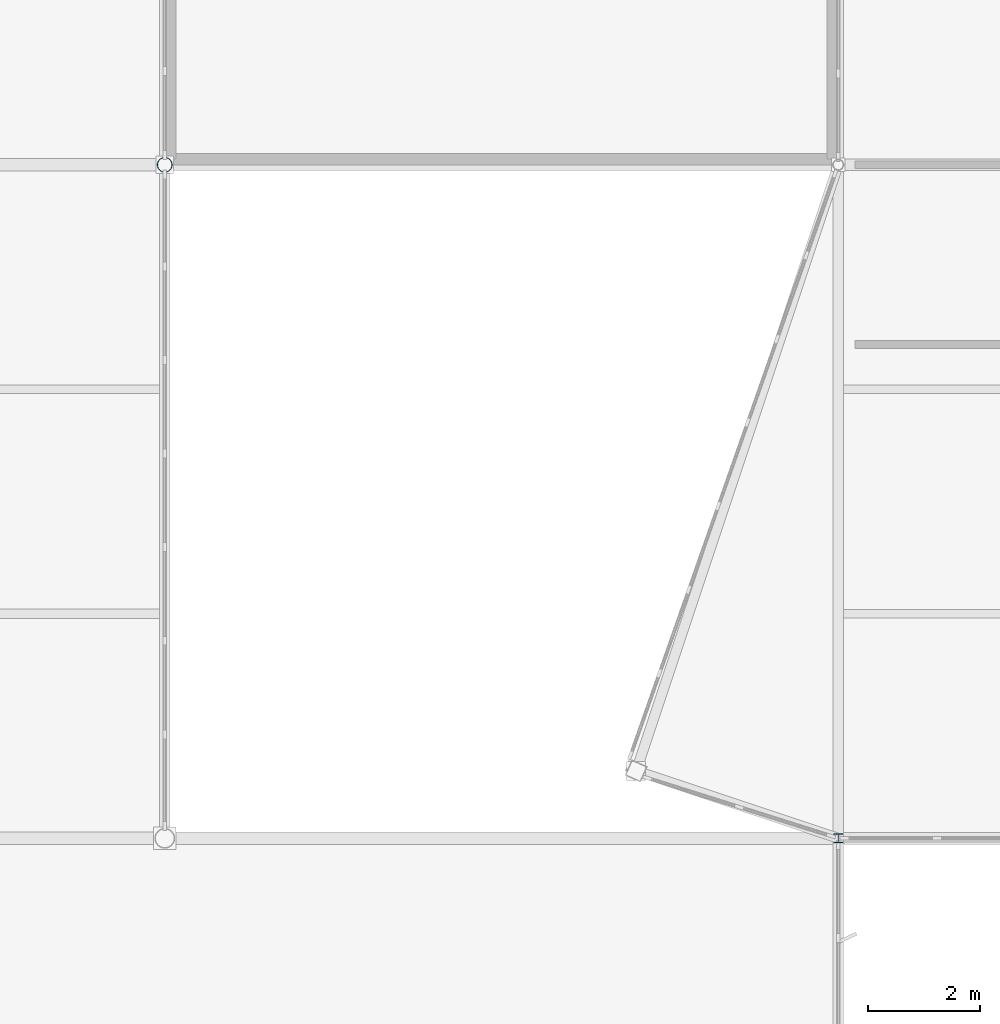
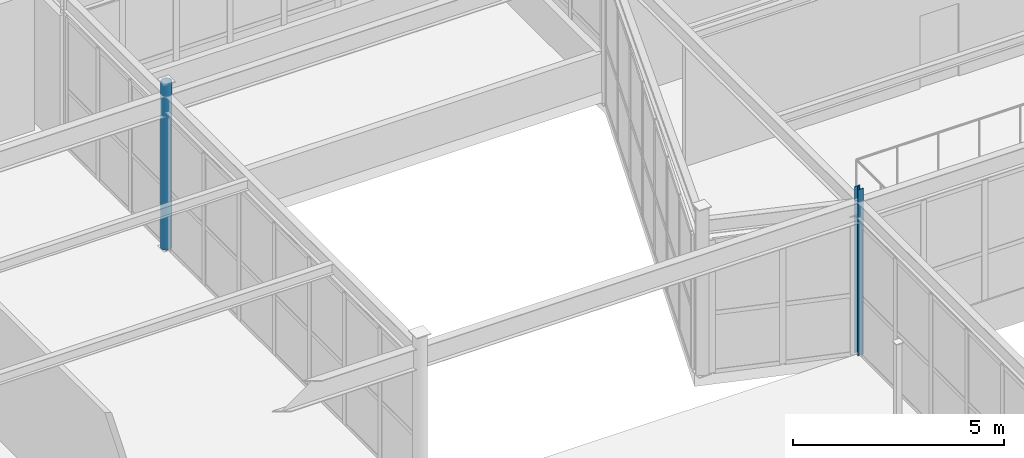
# One storey, part 51 of 226: 2 columns.
"""IFC4 building model written with IfcOpenShell, lengths in metres."""

import ifcopenshell
import ifcopenshell.guid

model = None  # the IFC model being written
_history = None  # IfcOwnerHistory: only IFC2X3 demands one
_inside = {}  # id of a spatial element -> (the spatial element, [elements in it])
_under = {}  # id of a project, library or spatial element -> (it, [spatial elements below it])
_declared = {}  # id of a project -> (the project, [libraries it declares])
_typed = {}  # id of a type object -> (the type object, [elements of that type])
_made_of = {}  # id of a material, layer set ... -> (it, [elements and type objects made of it])


def new_model(schema):
    """Start an empty IFC model of exactly this schema.

    Asked for "IFC4X3", IfcOpenShell would pick the latest addendum, in which some entities
    have other attributes; the version numbers below select the first issue.
    IFC2X3 requires an IfcOwnerHistory on every rooted entity: one is made here for all.
    """
    global model, _history
    if schema == "IFC4X3":
        model = ifcopenshell.file(schema_version=(4, 3, 0, 0))
    else:
        model = ifcopenshell.file(schema=schema)
    _inside.clear()
    _under.clear()
    _declared.clear()
    _typed.clear()
    _made_of.clear()
    _history = None
    if model.schema == "IFC2X3":
        org = make("IfcOrganization", Name="unknown")
        user = make(
            "IfcPersonAndOrganization",
            ThePerson=make("IfcPerson", FamilyName="unknown"),
            TheOrganization=org,
        )
        app = make(
            "IfcApplication",
            ApplicationDeveloper=org,
            Version="unknown",
            ApplicationFullName="unknown",
            ApplicationIdentifier="unknown",
        )
        _history = make(
            "IfcOwnerHistory",
            OwningUser=user,
            OwningApplication=app,
            ChangeAction="ADDED",
            CreationDate=0,
        )
    return model


def make(cls, **values):
    """One entity of the class cls with the attributes given. An attribute that is None is left unset."""
    return model.create_entity(
        cls, **{name: value for name, value in values.items() if value is not None}
    )


def rooted(cls, **values):
    """An entity with a GlobalId (a new one), such as an element, a storey or a relation."""
    return make(cls, GlobalId=ifcopenshell.guid.new(), OwnerHistory=_history, **values)


def si_unit(unit_type, name, prefix=None):
    """IfcSIUnit, for example si_unit("LENGTHUNIT", "METRE", prefix="MILLI")."""
    return make("IfcSIUnit", UnitType=unit_type, Prefix=prefix, Name=name)


def assignment(units):
    """IfcUnitAssignment: the units of a project."""
    return None if units is None else make("IfcUnitAssignment", Units=units)


def point(xyz):
    """IfcCartesianPoint."""
    return None if xyz is None else make("IfcCartesianPoint", Coordinates=xyz)


def direction(xyz):
    """IfcDirection."""
    return None if xyz is None else make("IfcDirection", DirectionRatios=xyz)


def frame(location, z_axis=None, x_axis=None):
    """IfcAxis2Placement3D, a coordinate frame: its origin and axes. An axis left out is left unset."""
    return make(
        "IfcAxis2Placement3D",
        Location=point(location),
        Axis=direction(z_axis),
        RefDirection=direction(x_axis),
    )


def frame_2d(location, x_axis=None):
    """IfcAxis2Placement2D, a coordinate frame in the plane: its origin and x axis."""
    return make(
        "IfcAxis2Placement2D", Location=point(location), RefDirection=direction(x_axis)
    )


def origin():
    """The frame at (0, 0, 0) with its axes left unset."""
    return frame((0.0, 0.0, 0.0))


def origin_2d():
    """The frame at (0, 0) in the plane with its x axis left unset."""
    return frame_2d((0.0, 0.0))


def place(relative_to, where):
    """IfcLocalPlacement: puts the frame where relative to a parent placement (None: the world)."""
    return make(
        "IfcLocalPlacement", PlacementRelTo=relative_to, RelativePlacement=where
    )


def context(
    kind, dimensions, precision=None, world=None, true_north=None, identifier=None
):
    """IfcGeometricRepresentationContext, for example the 3D "Model" context."""
    return make(
        "IfcGeometricRepresentationContext",
        ContextIdentifier=identifier,
        ContextType=kind,
        CoordinateSpaceDimension=dimensions,
        Precision=precision,
        WorldCoordinateSystem=world,
        TrueNorth=true_north,
    )


def subcontext(parent, identifier, kind, view, scale=None):
    """IfcGeometricRepresentationSubContext, for example "Body" below "Model"."""
    return make(
        "IfcGeometricRepresentationSubContext",
        ContextIdentifier=identifier,
        ContextType=kind,
        ParentContext=parent,
        TargetScale=scale,
        TargetView=view,
    )


def project(units=None, contexts=None):
    """IfcProject with its units and contexts."""
    return rooted(
        "IfcProject",
        Name="project",
        RepresentationContexts=contexts,
        UnitsInContext=assignment(units),
    )


def spatial(cls, under=None, at=None, **own):
    """A site, building, storey or space (cls), placed at a placement, below another one or the project."""
    s = rooted(cls, ObjectPlacement=at, **own)
    if under is not None:
        _under.setdefault(under.id(), (under, []))[1].append(s)
    return s


def profile(cls, at=None, kind="AREA", **sizes):
    """A parametric profile (cls). Its sizes go by their IFC names, for example OverallWidth=200.0."""
    return make(cls, ProfileType=kind, Position=at, **sizes)


def hollow_circle(**sizes):
    """IfcCircleHollowProfileDef."""
    return profile("IfcCircleHollowProfileDef", **sizes)


def i_section(**sizes):
    """IfcIShapeProfileDef."""
    return profile("IfcIShapeProfileDef", **sizes)


def extrude(swept, where, along, depth):
    """IfcExtrudedAreaSolid: the profile swept, set in the frame where, extruded along a direction by depth."""
    return make(
        "IfcExtrudedAreaSolid",
        SweptArea=swept,
        Position=where,
        ExtrudedDirection=direction(along),
        Depth=depth,
    )


def shape(context_of_items, identifier, shape_type, items):
    """IfcShapeRepresentation: the items that make up one representation, for example the "Body"."""
    return make(
        "IfcShapeRepresentation",
        ContextOfItems=context_of_items,
        RepresentationIdentifier=identifier,
        RepresentationType=shape_type,
        Items=items,
    )


def material(Name=None, Category=None):
    """IfcMaterial."""
    return make("IfcMaterial", Name=Name, Category=Category)


def material_profile(
    of_material, cross_section, Name=None, Category=None, Priority=None
):
    """IfcMaterialProfile: a cross section and its material."""
    return make(
        "IfcMaterialProfile",
        Name=Name,
        Material=of_material,
        Profile=cross_section,
        Priority=Priority,
        Category=Category,
    )


def profile_set(profiles, Name=None, composite=None):
    """IfcMaterialProfileSet."""
    return make(
        "IfcMaterialProfileSet",
        Name=Name,
        MaterialProfiles=profiles,
        CompositeProfile=composite,
    )


def made_of(thing, what):
    """Note that an element or type object is made of a material, layer set ...; save() writes the relation."""
    if what is not None:
        _made_of.setdefault(what.id(), (what, []))[1].append(thing)
    return thing


def type_object(cls, material=None, **own):
    """A type object (cls), such as IfcWallType, which elements share."""
    return made_of(rooted(cls, **own), material)


def element(
    cls,
    number,
    at=None,
    inside=None,
    cuts=None,
    type_object=None,
    material=None,
    context=None,
    identifier="Body",
    shape_type=None,
    held_by="IfcProductDefinitionShape",
    body=None,
    shapes=None,
    **own,
):
    """One element of the class cls, such as IfcWall. Its Tag is "e" and its number.

    at: its placement. inside: the storey or other place that contains it. cuts: it is an
    opening in that element (IfcRelVoidsElement). A single representation is given by context,
    identifier, shape_type and body (its items); several are given by shapes. held_by: the class
    of the entity that holds the representations. save() writes the other relations.
    """
    e = rooted(cls, Tag="e%d" % number, ObjectPlacement=at, **own)
    if body is not None:
        shapes = [shape(context, identifier, shape_type, body)]
    if shapes is not None:
        e.Representation = make(held_by, Representations=shapes)
    if inside is not None:
        _inside.setdefault(inside.id(), (inside, []))[1].append(e)
    if cuts is not None:
        rooted(
            "IfcRelVoidsElement", RelatingBuildingElement=cuts, RelatedOpeningElement=e
        )
    if type_object is not None:
        _typed.setdefault(type_object.id(), (type_object, []))[1].append(e)
    return made_of(e, material)


def aggregate(whole, parts):
    """IfcRelAggregates: a whole, such as a stair, and the parts it consists of."""
    return rooted("IfcRelAggregates", RelatingObject=whole, RelatedObjects=parts)


def save(model, path):
    """Write the relations noted so far, then the file.

    IfcRelAggregates (storeys below a building ...), IfcRelContainedInSpatialStructure (elements
    in a storey), IfcRelDefinesByType, IfcRelAssociatesMaterial and IfcRelDeclares: one each for
    every whole, place, type object, material and project.
    """
    for whole, parts in _under.values():
        aggregate(whole, parts)
    for where, things in _inside.values():
        rooted(
            "IfcRelContainedInSpatialStructure",
            RelatedElements=things,
            RelatingStructure=where,
        )
    for kind, things in _typed.values():
        rooted("IfcRelDefinesByType", RelatedObjects=things, RelatingType=kind)
    for what, things in _made_of.values():
        rooted("IfcRelAssociatesMaterial", RelatedObjects=things, RelatingMaterial=what)
    for by, libraries in _declared.values():
        rooted("IfcRelDeclares", RelatingContext=by, RelatedDefinitions=libraries)
    model.write(path)


model = new_model("IFC4")

# Units and contexts
model_context = context("Model", 3, precision=1e-05, world=origin(), true_north=direction((0.0, 1.0)))
body_context = subcontext(model_context, "Body", "Model", "MODEL_VIEW")
ifc_project = project(units=[si_unit("LENGTHUNIT", "METRE"), si_unit("AREAUNIT", "SQUARE_METRE"), si_unit("VOLUMEUNIT", "CUBIC_METRE"), si_unit("PLANEANGLEUNIT", "RADIAN"), si_unit("MASSUNIT", "GRAM", prefix="KILO")], contexts=[model_context])

# Site, building, storey
site_placement = place(None, origin())
site = spatial("IfcSite", under=ifc_project, at=site_placement, CompositionType="ELEMENT")
building_placement = place(site_placement, origin())
building = spatial("IfcBuilding", under=site, at=building_placement, Name="Tarnwether General Hospital", CompositionType="ELEMENT")
storey_placement = place(building_placement, frame((0.0, 0.0, 4.800048828125)))
storey = spatial("IfcBuildingStorey", under=building, at=storey_placement, Name="L01", CompositionType="ELEMENT", Elevation=4.800048828125)

# Columns
ifc_material_1 = material(Name="Steel Grade C350L0 (350 MPa)", Category="steel")
ifc_material_profile_1 = material_profile(ifc_material_1, hollow_circle(Radius=0.136474609375, WallThickness=0.0126953125, at=origin_2d()), Name="CHS273.1x12.7")
ifc_profile_set_1 = profile_set([ifc_material_profile_1], Name="Steel Grade C350L0 (350 MPa)")
column_type_1 = type_object("IfcColumnType", Name="COL-12", PredefinedType="COLUMN", material=ifc_profile_set_1)
column_1_placement = place(storey_placement, frame((132.0, 93.60009765625, 0.0), z_axis=(0.0, 0.0, 1.0), x_axis=(0.0, 1.0, 0.0)))
element("IfcColumn", 1, at=column_1_placement, inside=storey, type_object=column_type_1, Name="Column COLG-L01-13200_9360", PredefinedType="COLUMN", context=body_context, shape_type="SweptSolid", body=[
    extrude(hollow_circle(Radius=0.136474609375, WallThickness=0.0126953125, at=origin_2d()), origin(), (0.0, 0.0, 1.0), 4.800048828125),
])
ifc_material_2 = material(Name="Steel Grade 350 (350 MPa)", Category="steel")
ifc_material_profile_2 = material_profile(ifc_material_2, i_section(OverallWidth=0.154052734375, OverallDepth=0.162109375, WebThickness=0.008056640625, FlangeThickness=0.011474609375, at=origin_2d()), Name="150UC37.2")
ifc_profile_set_2 = profile_set([ifc_material_profile_2], Name="Steel Grade 350 (350 MPa)")
column_type_2 = type_object("IfcColumnType", Name="COL-28", PredefinedType="COLUMN", material=ifc_profile_set_2)
column_2_placement = place(storey_placement, frame((144.0, 81.60009765625, 0.0), z_axis=(0.0, 0.0, 1.0), x_axis=(1.0, 0.0, 0.0)))
element("IfcColumn", 2, at=column_2_placement, inside=storey, type_object=column_type_2, Name="Column COLG-L01-14400_8160", PredefinedType="COLUMN", context=body_context, shape_type="SweptSolid", body=[
    extrude(i_section(OverallWidth=0.154052734375, OverallDepth=0.162109375, WebThickness=0.008056640625, FlangeThickness=0.011474609375, at=origin_2d()), origin(), (0.0, 0.0, 1.0), 4.800048828125),
])

save(model, "model.ifc")
